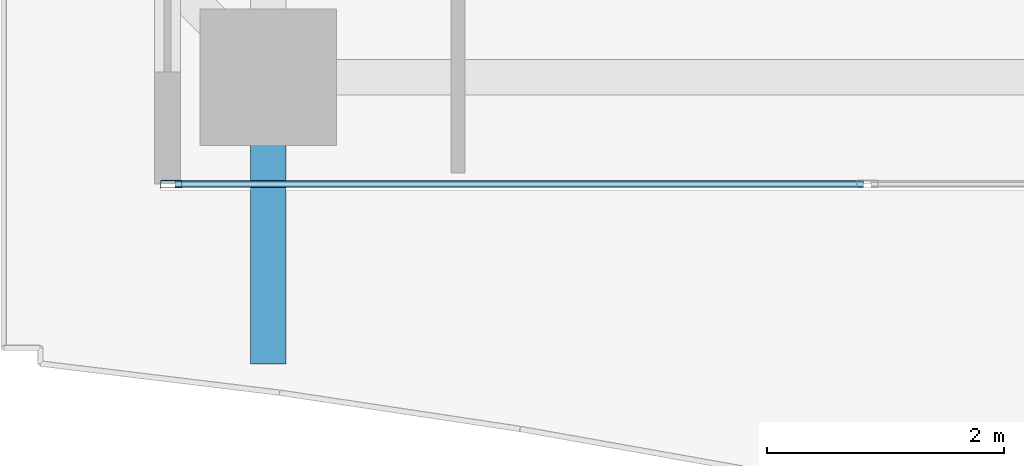
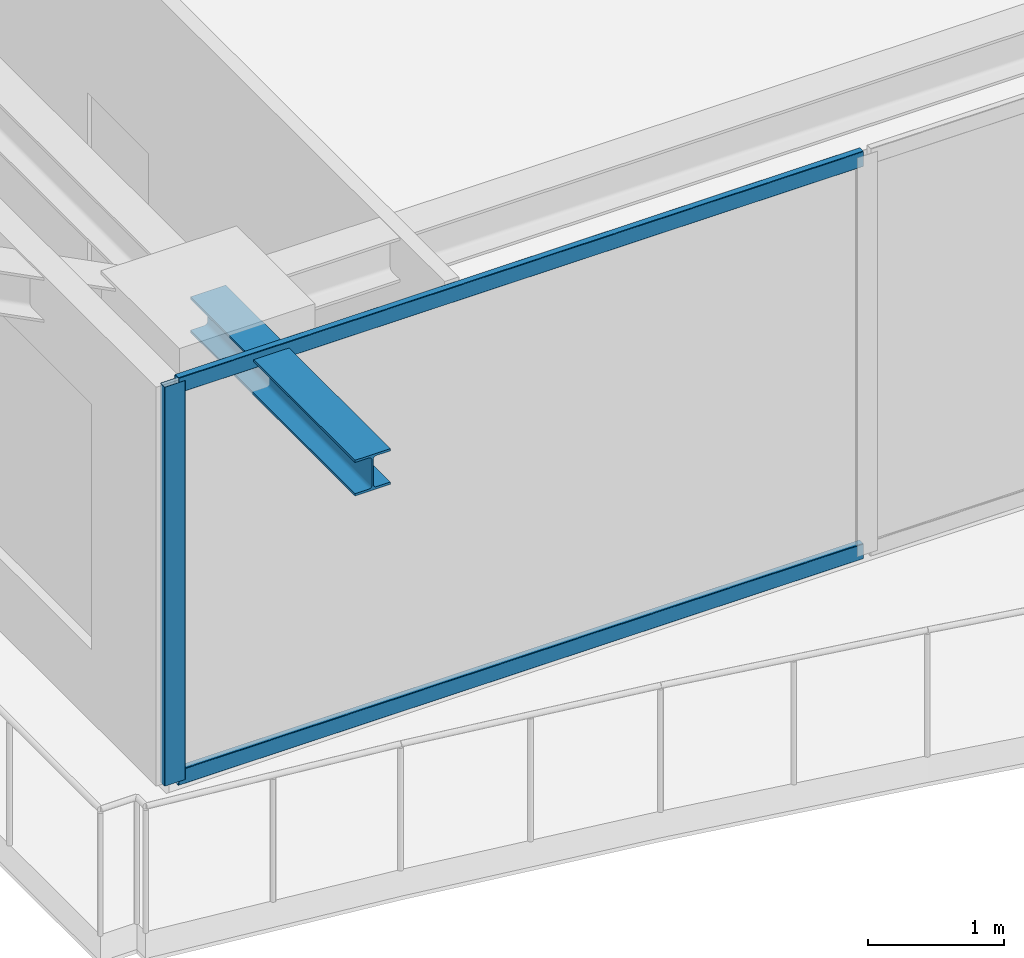
# One storey, part 2 of 36: 3 members, 1 beam, 1 element without a shape of its own.
"""IFC4 building model written with IfcOpenShell, lengths in metres."""

from ifc_helpers import new_model, si_unit, direction, frame, origin, origin_2d, place, context, subcontext, project, spatial, hollow_rectangle, i_section, extrude, source, transform, mapped, material, layer, layer_set, material_profile, profile_set, type_object, element, aggregate, save


model = new_model("IFC4")

# Units and contexts
model_context = context("Model", 3, precision=1e-05, world=origin(), true_north=direction((0.0, 1.0)))
body_context = subcontext(model_context, "Body", "Model", "MODEL_VIEW")
ifc_project = project(units=[si_unit("LENGTHUNIT", "METRE"), si_unit("AREAUNIT", "SQUARE_METRE"), si_unit("VOLUMEUNIT", "CUBIC_METRE"), si_unit("PLANEANGLEUNIT", "RADIAN"), si_unit("MASSUNIT", "GRAM", prefix="KILO")], contexts=[model_context])

# Site, building, storey
site_placement = place(None, origin())
site = spatial("IfcSite", under=ifc_project, at=site_placement, CompositionType="ELEMENT")
building_placement = place(site_placement, origin())
building = spatial("IfcBuilding", under=site, at=building_placement, Name="Serunith Strait Residences", CompositionType="ELEMENT")
storey_placement = place(building_placement, frame((0.0, 0.0, 272.050048828125)))
storey = spatial("IfcBuildingStorey", under=building, at=storey_placement, Name="L68", CompositionType="ELEMENT", Elevation=272.050048828125)

# Beam
ifc_material_1 = material(Name="Steel S355J2", Category="steel")
ifc_material_profile_1 = material_profile(ifc_material_1, i_section(OverallWidth=0.300048828125, OverallDepth=0.320068359375, WebThickness=0.011474609375, FlangeThickness=0.0205078125, FilletRadius=0.027099609375, at=origin_2d()), Name="HEB 320")
ifc_profile_set_1 = profile_set([ifc_material_profile_1], Name="Steel S355J2")
beam_type = type_object("IfcBeamType", Name="BM-HEB320", PredefinedType="BEAM", material=ifc_profile_set_1)
shared_shape_1 = source(origin(), body_context, "Body", "SweptSolid", [
    extrude(i_section(OverallWidth=0.300048828125, OverallDepth=0.320068359375, WebThickness=0.011474609375, FlangeThickness=0.0205078125, FilletRadius=0.027099609375, at=origin_2d()), origin(), (0.0, 0.0, 1.0), 2.417236328125),
])
beam_placement = place(storey_placement, frame((16.25, 2.10009765625, 3.39697265625), z_axis=(0.0, -1.0, 0.0), x_axis=(1.0, 0.0, 0.0)))
element("IfcBeam", 1, at=beam_placement, inside=storey, type_object=beam_type, Name="L69 Cantilevered Balcony Rib TC-S1", PredefinedType="BEAM", context=body_context, shape_type="MappedRepresentation", body=[
    mapped(shared_shape_1, transform((0.0, 0.0, 0.0), scale=1.0)),
])

# Curtain wall, members
ifc_material_2 = material(Name="Pale-Champagne Anodised Aluminium", Category="aluminium")
ifc_layer = layer(ifc_material_2, 0.199951171875, Name="Pale-Champagne Anodised Aluminium")
ifc_layer_set = layer_set([ifc_layer], Name="Pale-Champagne Anodised Aluminium")
curtain_wall_type = type_object("IfcCurtainWallType", Name="CW-SYS4", PredefinedType="NOTDEFINED", material=ifc_layer_set)
curtain_wall_placement = place(storey_placement, origin())
curtain_wall = element("IfcCurtainWall", 2, at=curtain_wall_placement, inside=storey, type_object=curtain_wall_type, Name="L68 S Unitised Fritted Curtain Wall", PredefinedType="NOTDEFINED")
ifc_material_profile_2 = material_profile(ifc_material_2, hollow_rectangle(XDim=0.06494140625, YDim=0.179931640625, WallThickness=0.00341796875, InnerFilletRadius=0.00537109375, OuterFilletRadius=0.0087890625, at=origin_2d()), Name="ALU 180x65x3.5")
ifc_profile_set_2 = profile_set([ifc_material_profile_2], Name="Pale-Champagne Anodised Aluminium")
member_type_1 = type_object("IfcMemberType", Name="CW-SYS4-MULL", PredefinedType="MULLION", material=ifc_profile_set_2)
shared_shape_2 = source(origin(), body_context, "Body", "SweptSolid", [
    extrude(hollow_rectangle(XDim=0.06494140625, YDim=0.179931640625, WallThickness=0.00341796875, InnerFilletRadius=0.00537109375, OuterFilletRadius=0.0087890625, at=origin_2d()), origin(), (0.0, 0.0, 1.0), 3.574951171875),
])
member_1_placement = place(storey_placement, frame((15.4326171875, 1.199951171875, 0.0), z_axis=(0.0, 0.0, 1.0), x_axis=(0.0, 1.0, 0.0)))
member_1 = element("IfcMember", 3, at=member_1_placement, type_object=member_type_1, Name="CW-4 mullion 1", PredefinedType="MULLION", context=body_context, shape_type="MappedRepresentation", body=[
    mapped(shared_shape_2, transform((0.0, 0.0, 0.0), scale=1.0)),
])
ifc_material_profile_3 = material_profile(ifc_material_2, hollow_rectangle(XDim=0.06005859375, YDim=0.139892578125, WallThickness=0.00341796875, InnerFilletRadius=0.00537109375, OuterFilletRadius=0.0087890625, at=origin_2d()), Name="ALU 140x60x3.5")
ifc_profile_set_3 = profile_set([ifc_material_profile_3], Name="Pale-Champagne Anodised Aluminium")
member_type_2 = type_object("IfcMemberType", Name="CW-SYS4-TRAN", PredefinedType="USERDEFINED", material=ifc_profile_set_3)
shared_shape_3 = source(origin(), body_context, "Body", "SweptSolid", [
    extrude(hollow_rectangle(XDim=0.06005859375, YDim=0.139892578125, WallThickness=0.00341796875, InnerFilletRadius=0.00537109375, OuterFilletRadius=0.0087890625, at=origin_2d()), origin(), (0.0, 0.0, 1.0), 5.802490234375),
])
member_2_placement = place(storey_placement, frame((15.465087890625, 1.199951171875, 0.030029296875), z_axis=(1.0, 0.0, 0.0), x_axis=(0.0, 1.0, 0.0)))
member_2 = element("IfcMember", 4, at=member_2_placement, type_object=member_type_2, Name="CW-4 transom 1.1", ObjectType="TRANSOM", PredefinedType="USERDEFINED", context=body_context, shape_type="MappedRepresentation", body=[
    mapped(shared_shape_3, transform((0.0, 0.0, 0.0), scale=1.0)),
])
member_3_placement = place(storey_placement, frame((15.465087890625, 1.199951171875, 3.544921875), z_axis=(1.0, 0.0, 0.0), x_axis=(0.0, 1.0, 0.0)))
member_3 = element("IfcMember", 5, at=member_3_placement, type_object=member_type_2, Name="CW-4 transom 1.2", ObjectType="TRANSOM", PredefinedType="USERDEFINED", context=body_context, shape_type="MappedRepresentation", body=[
    mapped(shared_shape_3, transform((0.0, 0.0, 0.0), scale=1.0)),
])
aggregate(curtain_wall, [member_1, member_2, member_3])

save(model, "model.ifc")
